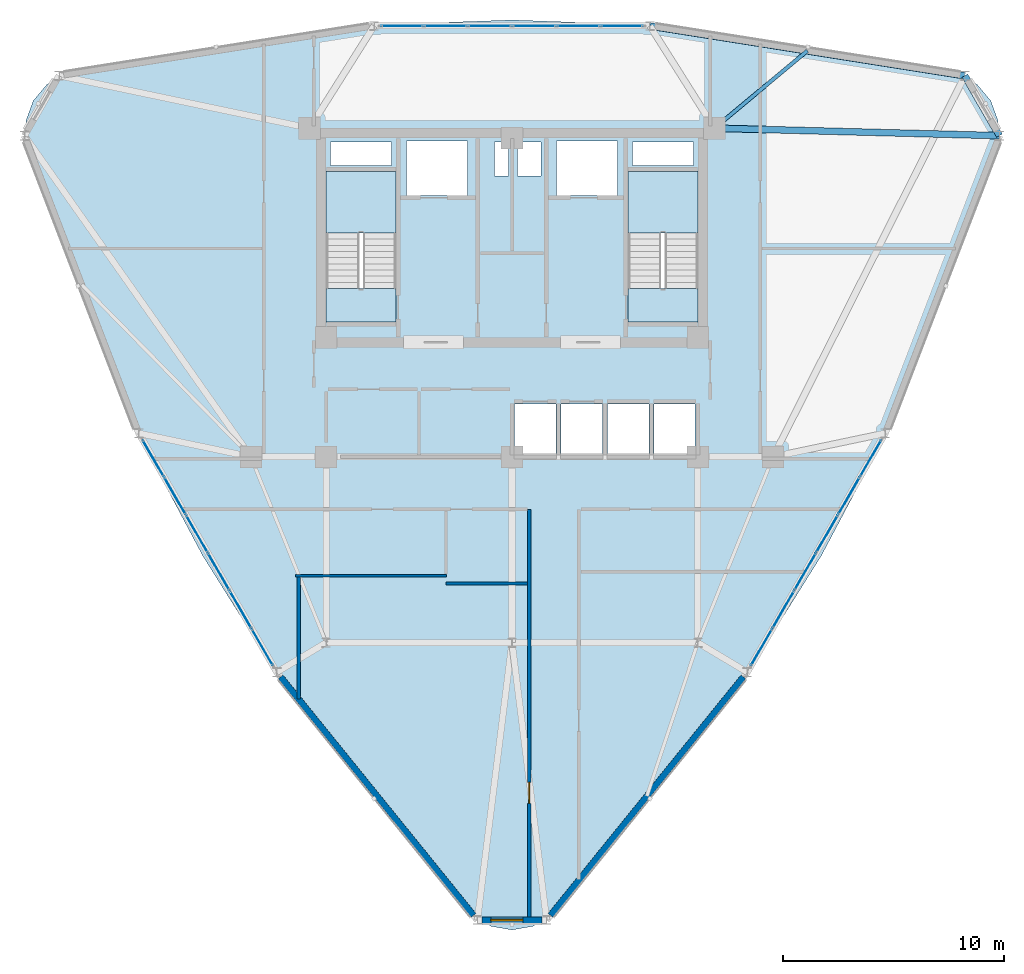
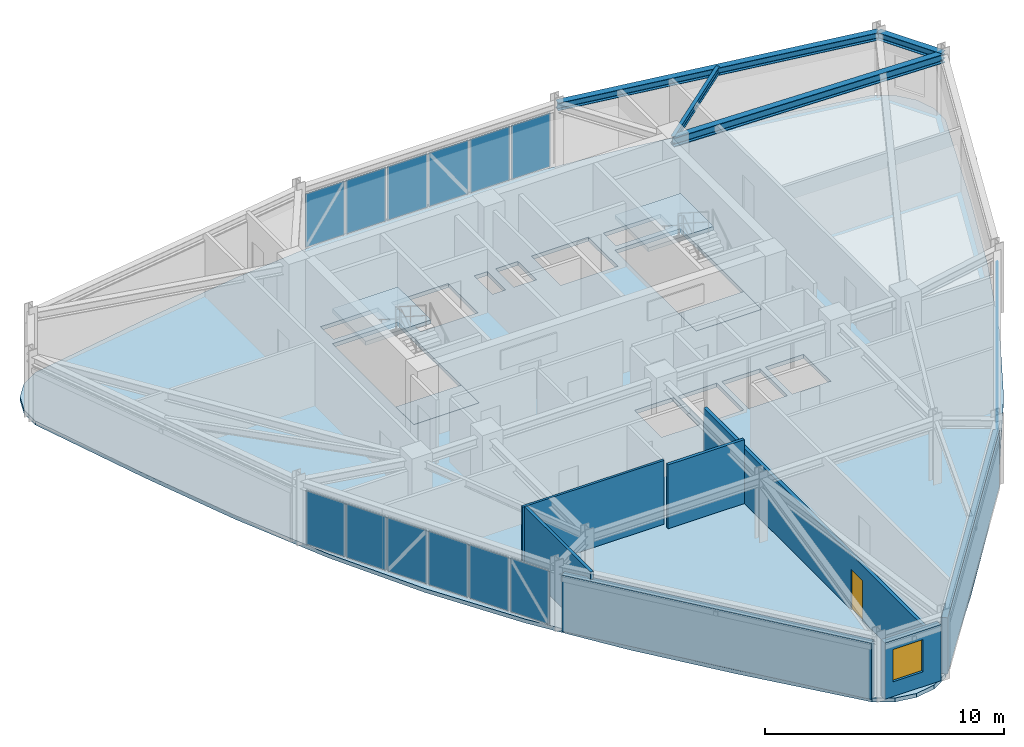
# One storey, part 9 of 14: 18 plates, 7 walls, 5 slabs, 4 beams, 1 door, 1 window, 2 openings, 5 elements without a shape of their own.
"""IFC4 building model written with IfcOpenShell, lengths in metres."""

from ifc_helpers import new_model, si_unit, derived_unit, direction, frame, frame_2d, origin, origin_2d, place, context, subcontext, project, spatial, polyline, rectangle, i_section, outline, extrude, source, transform, mapped, material, layer, layer_set, material_profile, profile_set, type_object, element, fill, aggregate, save


model = new_model("IFC4")

# Units and contexts
model_context = context("Model", 3, precision=1e-05, world=origin(), true_north=direction((0.0, 1.0)))
body_context = subcontext(model_context, "Body", "Model", "MODEL_VIEW")
ifc_project = project(units=[si_unit("LENGTHUNIT", "METRE"), si_unit("AREAUNIT", "SQUARE_METRE"), si_unit("VOLUMEUNIT", "CUBIC_METRE"), si_unit("PLANEANGLEUNIT", "RADIAN"), si_unit("MASSUNIT", "GRAM", prefix="KILO"), derived_unit("THERMALTRANSMITTANCEUNIT", [(si_unit("POWERUNIT", "WATT"), 1), (si_unit("LENGTHUNIT", "METRE"), -2), (si_unit("THERMODYNAMICTEMPERATUREUNIT", "KELVIN"), -1)])], contexts=[model_context])

# Site, building, storey
site_placement = place(None, origin())
site = spatial("IfcSite", under=ifc_project, at=site_placement, CompositionType="ELEMENT")
building_placement = place(site_placement, origin())
building = spatial("IfcBuilding", under=site, at=building_placement, Name="Korsvarv Bourse and Concert Hall", CompositionType="ELEMENT")
storey_placement = place(building_placement, frame((0.0, 0.0, 197.39990234375)))
storey = spatial("IfcBuildingStorey", under=building, at=storey_placement, Name="L51", CompositionType="ELEMENT", Elevation=197.39990234375)

# Beams
ifc_material_1 = material(Name="Steel S355", Category="steel")
ifc_material_profile_1 = material_profile(ifc_material_1, i_section(OverallWidth=0.300048828125, OverallDepth=0.389892578125, WebThickness=0.010986328125, FlangeThickness=0.01904296875, FilletRadius=0.02099609375, at=origin_2d()), Name="HEA 400")
ifc_profile_set_1 = profile_set([ifc_material_profile_1], Name="Steel S355")
beam_type_1 = type_object("IfcBeamType", Name="BM-HEA400", PredefinedType="BEAM", material=ifc_profile_set_1)
shared_shape_1 = source(origin(), body_context, "Body", "SweptSolid", [
    extrude(i_section(OverallWidth=0.300048828125, OverallDepth=0.389892578125, WebThickness=0.010986328125, FlangeThickness=0.01904296875, FilletRadius=0.02099609375, at=origin_2d()), origin(), (0.0, 0.0, 1.0), 3.12939453125),
])
beam_1_placement = place(storey_placement, frame((58.0302734375, 46.912353515625, 3.065185546875), z_axis=(-0.499990325971, 0.866030989016, 0.0), x_axis=(-0.866030989016, -0.499990325971, 0.0)))
element("IfcBeam", 1, at=beam_1_placement, inside=storey, type_object=beam_type_1, Name="L51 beam B-11", PredefinedType="BEAM", context=body_context, shape_type="MappedRepresentation", body=[
    mapped(shared_shape_1, transform((0.0, 0.0, 0.0), scale=1.0)),
])
shared_shape_2 = source(origin(), body_context, "Body", "SweptSolid", [
    extrude(i_section(OverallWidth=0.300048828125, OverallDepth=0.389892578125, WebThickness=0.010986328125, FlangeThickness=0.01904296875, FilletRadius=0.02099609375, at=origin_2d()), origin(), (0.0, 0.0, 1.0), 14.4091796875),
])
beam_2_placement = place(storey_placement, frame((56.465576171875, 49.62255859375, 3.065185546875), z_axis=(-0.987741112202, 0.156100913728, 0.0), x_axis=(-0.156100913728, -0.987741112202, 0.0)))
element("IfcBeam", 2, at=beam_2_placement, inside=storey, type_object=beam_type_1, Name="L51 beam B-11", PredefinedType="BEAM", context=body_context, shape_type="MappedRepresentation", body=[
    mapped(shared_shape_2, transform((0.0, 0.0, 0.0), scale=1.0)),
])
ifc_material_profile_2 = material_profile(ifc_material_1, i_section(OverallWidth=0.300048828125, OverallDepth=0.449951171875, WebThickness=0.013916015625, FlangeThickness=0.02587890625, FilletRadius=0.02099609375, at=origin_2d()), Name="HEB 450")
ifc_profile_set_2 = profile_set([ifc_material_profile_2], Name="Steel S355")
beam_type_2 = type_object("IfcBeamType", Name="BM-HEB450", PredefinedType="SPANDREL", material=ifc_profile_set_2)
shared_shape_3 = source(origin(), body_context, "Body", "SweptSolid", [
    extrude(i_section(OverallWidth=0.300048828125, OverallDepth=0.449951171875, WebThickness=0.013916015625, FlangeThickness=0.02587890625, FilletRadius=0.02099609375, at=origin_2d()), origin(), (0.0, 0.0, 1.0), 12.884765625),
])
beam_3_placement = place(storey_placement, frame((58.0302734375, 46.912353515625, 3.03515625), z_axis=(-0.999656589191, 0.026205031708, 0.0), x_axis=(-0.026205031708, -0.999656589191, 0.0)))
element("IfcBeam", 3, at=beam_3_placement, inside=storey, type_object=beam_type_2, Name="L51 beam B-08", PredefinedType="SPANDREL", context=body_context, shape_type="MappedRepresentation", body=[
    mapped(shared_shape_3, transform((0.0, 0.0, 0.0), scale=1.0)),
])
ifc_material_profile_3 = material_profile(ifc_material_1, i_section(OverallWidth=0.169921875, OverallDepth=0.360107421875, WebThickness=0.008056640625, FlangeThickness=0.0126953125, FilletRadius=0.01806640625, at=origin_2d()), Name="IPE 360")
ifc_profile_set_3 = profile_set([ifc_material_profile_3], Name="Steel S355")
beam_type_3 = type_object("IfcBeamType", Name="BM-IPE360", PredefinedType="JOIST", material=ifc_profile_set_3)
shared_shape_4 = source(origin(), body_context, "Body", "SweptSolid", [
    extrude(i_section(OverallWidth=0.169921875, OverallDepth=0.360107421875, WebThickness=0.008056640625, FlangeThickness=0.0126953125, FilletRadius=0.01806640625, at=origin_2d()), origin(), (0.0, 0.0, 1.0), 5.465087890625),
])
beam_4_placement = place(storey_placement, frame((49.349365234375, 50.747314453125, 3.080078125), z_axis=(-0.768422636875, -0.639942693636, 0.0), x_axis=(0.639942693636, -0.768422636875, 0.0)))
element("IfcBeam", 4, at=beam_4_placement, inside=storey, type_object=beam_type_3, Name="L51 beam J-06", PredefinedType="JOIST", context=body_context, shape_type="MappedRepresentation", body=[
    mapped(shared_shape_4, transform((0.0, 0.0, 0.0), scale=1.0)),
])

# Slabs
ifc_material_2 = material(Name="Precast concrete C45/55", Category="concrete")
ifc_layer_1 = layer(ifc_material_2, 0.199951171875)
ifc_layer_set_1 = layer_set([ifc_layer_1], Name="Precast concrete C45/55")
slab_type_1 = type_object("IfcSlabType", Name="SLB-FLND-T", PredefinedType="LANDING", material=ifc_layer_set_1)
slab_1_placement = place(storey_placement, frame((0.0, 0.0, -0.199951171875)))
element("IfcSlab", 5, at=slab_1_placement, inside=storey, type_object=slab_type_1, Name="L51 Stair ST-T1 Floor Landing Slab", PredefinedType="LANDING", context=body_context, shape_type="SweptSolid", body=[
    extrude(outline(polyline([(30.760009765625, 38.5), (30.760009765625, 40.0), (27.60009765625, 40.0), (27.60009765625, 38.5), (30.760009765625, 38.5)])), origin(), (0.0, 0.0, 1.0), 0.199951171875),
])
slab_2_placement = place(storey_placement, frame((0.0, 0.0, -0.199951171875)))
element("IfcSlab", 6, at=slab_2_placement, inside=storey, type_object=slab_type_1, Name="L51 Stair ST-T2 Floor Landing Slab", PredefinedType="LANDING", context=body_context, shape_type="SweptSolid", body=[
    extrude(outline(polyline([(44.39990234375, 38.5), (44.39990234375, 40.0), (41.239990234375, 40.0), (41.239990234375, 38.5), (44.39990234375, 38.5)])), origin(), (0.0, 0.0, 1.0), 0.199951171875),
])

# Stair, slab
stair_type = type_object("IfcStairType", Name="STR-TYPE-04", PredefinedType="HALF_TURN_STAIR", material=ifc_material_2)
stair_1_placement = place(storey_placement, origin())
stair_1 = element("IfcStair", 7, at=stair_1_placement, inside=storey, type_object=stair_type, Name="L51 Tower West Exit Stair ST-T1", PredefinedType="HALF_TURN_STAIR")
ifc_layer_2 = layer(ifc_material_2, 0.199951171875)
ifc_layer_set_2 = layer_set([ifc_layer_2], Name="Precast concrete C45/55")
slab_type_2 = type_object("IfcSlabType", Name="SLB-ST-LND", PredefinedType="LANDING", material=ifc_layer_set_2)
slab_3_placement = place(storey_placement, frame((0.0, 0.0, 1.60009765625)))
slab_3 = element("IfcSlab", 8, at=slab_3_placement, type_object=slab_type_2, Name="ST-T1 landing 1", PredefinedType="LANDING", context=body_context, shape_type="SweptSolid", body=[
    extrude(outline(polyline([(30.760009765625, 42.52001953125), (30.760009765625, 45.300048828125), (27.60009765625, 45.300048828125), (27.60009765625, 42.52001953125), (30.760009765625, 42.52001953125)])), origin(), (0.0, 0.0, 1.0), 0.199951171875),
])
aggregate(stair_1, [slab_3])

stair_2_placement = place(storey_placement, origin())
stair_2 = element("IfcStair", 9, at=stair_2_placement, inside=storey, type_object=stair_type, Name="L51 Tower East Exit Stair ST-T2", PredefinedType="HALF_TURN_STAIR")
slab_4_placement = place(storey_placement, frame((0.0, 0.0, 1.60009765625)))
slab_4 = element("IfcSlab", 10, at=slab_4_placement, type_object=slab_type_2, Name="ST-T2 landing 1", PredefinedType="LANDING", context=body_context, shape_type="SweptSolid", body=[
    extrude(outline(polyline([(44.39990234375, 42.52001953125), (44.39990234375, 45.300048828125), (41.239990234375, 45.300048828125), (41.239990234375, 42.52001953125), (44.39990234375, 42.52001953125)])), origin(), (0.0, 0.0, 1.0), 0.199951171875),
])
aggregate(stair_2, [slab_4])

# Slab
ifc_material_3 = material(Name="Concrete C45/55", Category="concrete")
ifc_layer_3 = layer(ifc_material_3, 0.199951171875)
ifc_layer_set_3 = layer_set([ifc_layer_3], Name="Concrete C45/55")
slab_type_3 = type_object("IfcSlabType", Name="SLB-TW2", PredefinedType="FLOOR", material=ifc_layer_set_3)
slab_5_placement = place(storey_placement, frame((0.0, 0.0, -0.199951171875)))
element("IfcSlab", 11, at=slab_5_placement, inside=storey, type_object=slab_type_3, Name="L51 tower structural floor slab", PredefinedType="FLOOR", context=body_context, shape_type="SweptSolid", body=[
    extrude(outline(polyline([(57.580810546875, 45.571044921875), (55.926025390625, 40.9873046875), (54.166015625, 36.489013671875), (52.205078125, 32.126953125), (49.977294921875, 27.93017578125), (47.45654296875, 23.902587890625), (44.659423828125, 20.023193359375), (41.64404296875, 16.25), (38.501708984375, 12.52490234375), (38.5, 12.523193359375), (37.781494140625, 11.6669921875), (36.947998046875, 11.185791015625), (36.0, 11.0185546875), (35.052001953125, 11.185791015625), (34.218505859375, 11.6669921875), (33.5, 12.523193359375), (33.498291015625, 12.52490234375), (30.35595703125, 16.25), (27.340576171875, 20.023193359375), (24.54345703125, 23.902587890625), (22.022705078125, 27.93017578125), (19.794921875, 32.126953125), (17.833984375, 36.489013671875), (16.073974609375, 40.9873046875), (14.419189453125, 45.571044921875), (14.41845703125, 45.5732421875), (14.0361328125, 46.62353515625), (14.0361328125, 47.586181640625), (14.365478515625, 48.49072265625), (14.984130859375, 49.22802734375), (15.81787109375, 49.70947265625), (16.918701171875, 49.903564453125), (16.9208984375, 49.904052734375), (21.718017578125, 50.762939453125), (26.493408203125, 51.48779296875), (31.251708984375, 51.970458984375), (36.0, 52.1396484375), (40.748291015625, 51.970458984375), (45.506591796875, 51.48779296875), (50.281982421875, 50.762939453125), (55.0791015625, 49.904052734375), (55.081298828125, 49.903564453125), (56.18212890625, 49.70947265625), (57.015869140625, 49.22802734375), (57.634521484375, 48.49072265625), (57.9638671875, 47.586181640625), (57.9638671875, 46.62353515625), (57.58154296875, 45.5732421875), (57.580810546875, 45.571044921875)]), holes=[polyline([(30.760009765625, 38.5), (30.760009765625, 45.300048828125), (27.60009765625, 45.300048828125), (27.60009765625, 38.5), (30.760009765625, 38.5)]), polyline([(44.39990234375, 38.5), (44.39990234375, 45.300048828125), (41.239990234375, 45.300048828125), (41.239990234375, 38.5), (44.39990234375, 38.5)]), polyline([(31.239990234375, 44.219970703125), (34.0, 44.219970703125), (34.0, 46.679931640625), (31.239990234375, 46.679931640625), (31.239990234375, 44.219970703125)]), polyline([(38.0, 44.219970703125), (40.760009765625, 44.219970703125), (40.760009765625, 46.679931640625), (38.0, 46.679931640625), (38.0, 44.219970703125)]), polyline([(36.1201171875, 32.52001953125), (37.97998046875, 32.52001953125), (37.97998046875, 34.780029296875), (36.1201171875, 34.780029296875), (36.1201171875, 32.52001953125)]), polyline([(38.219970703125, 32.52001953125), (40.080078125, 32.52001953125), (40.080078125, 34.780029296875), (38.219970703125, 34.780029296875), (38.219970703125, 32.52001953125)]), polyline([(40.320068359375, 32.52001953125), (42.179931640625, 32.52001953125), (42.179931640625, 34.780029296875), (40.320068359375, 34.780029296875), (40.320068359375, 32.52001953125)]), polyline([(42.419921875, 32.52001953125), (44.280029296875, 32.52001953125), (44.280029296875, 34.780029296875), (42.419921875, 34.780029296875), (42.419921875, 32.52001953125)]), polyline([(27.800048828125, 45.56005859375), (30.56005859375, 45.56005859375), (30.56005859375, 46.6201171875), (27.800048828125, 46.6201171875), (27.800048828125, 45.56005859375)]), polyline([(41.43994140625, 45.56005859375), (44.199951171875, 45.56005859375), (44.199951171875, 46.6201171875), (41.43994140625, 46.6201171875), (41.43994140625, 45.56005859375)]), polyline([(35.199951171875, 45.080078125), (35.840087890625, 45.080078125), (35.840087890625, 46.6201171875), (35.199951171875, 46.6201171875), (35.199951171875, 45.080078125)]), polyline([(36.239990234375, 45.080078125), (37.320068359375, 45.080078125), (37.320068359375, 46.6201171875), (36.239990234375, 46.6201171875), (36.239990234375, 45.080078125)])]), origin(), (0.0, 0.0, 1.0), 0.199951171875),
])

# Curtain wall, plates
ifc_material_4 = material(Name="Anodised aluminium and triple low-E glazing", Category="glass")
ifc_layer_4 = layer(ifc_material_4, 0.199951171875)
ifc_layer_set_4 = layer_set([ifc_layer_4], Name="Anodised aluminium and triple low-E glazing")
curtain_wall_type = type_object("IfcCurtainWallType", Name="CW-SYS-3", PredefinedType="NOTDEFINED", material=ifc_layer_set_4)
curtain_wall_1_placement = place(storey_placement, origin())
curtain_wall_1 = element("IfcCurtainWall", 12, at=curtain_wall_1_placement, inside=storey, type_object=curtain_wall_type, Name="L51 CW3 curtain wall CW-L51-F03", PredefinedType="NOTDEFINED")
ifc_material_5 = material(Name="Tempered triple insulated low-E architectural glass", Category="glass")
ifc_layer_5 = layer(ifc_material_5, 0.0380859375)
ifc_layer_set_5 = layer_set([ifc_layer_5], Name="Tempered triple insulated low-E architectural glass")
plate_type_1 = type_object("IfcPlateType", Name="CWP-VIS2", PredefinedType="CURTAIN_PANEL", material=ifc_layer_set_5)
shared_shape_5 = source(origin(), body_context, "Body", "SweptSolid", [
    extrude(rectangle(XDim=1.888427734375, YDim=0.0380859375, at=origin_2d()), origin(), (0.0, 0.0, 1.0), 2.739990234375),
])
plate_1_placement = place(storey_placement, frame((40.9658203125, 51.871826171875, 0.06494140625), z_axis=(0.0, 0.0, 1.0), x_axis=(-1.0, 0.0, 0.0)))
plate_1 = element("IfcPlate", 13, at=plate_1_placement, type_object=plate_type_1, Name="CW3 faceted panel 1.1", PredefinedType="CURTAIN_PANEL", context=body_context, shape_type="MappedRepresentation", body=[
    mapped(shared_shape_5, transform((0.0, 0.0, 0.0), scale=1.0)),
])
shared_shape_6 = source(origin(), body_context, "Body", "SweptSolid", [
    extrude(rectangle(XDim=1.92333984375, YDim=0.0380859375, at=origin_2d()), origin(), (0.0, 0.0, 1.0), 2.739990234375),
])
plate_2_placement = place(storey_placement, frame((38.989990234375, 51.871826171875, 0.06494140625), z_axis=(0.0, 0.0, 1.0), x_axis=(-1.0, 0.0, 0.0)))
plate_2 = element("IfcPlate", 14, at=plate_2_placement, type_object=plate_type_1, Name="CW3 faceted panel 2.1", PredefinedType="CURTAIN_PANEL", context=body_context, shape_type="MappedRepresentation", body=[
    mapped(shared_shape_6, transform((0.0, 0.0, 0.0), scale=1.0)),
])
plate_3_placement = place(storey_placement, frame((35.00341796875, 51.871826171875, 0.06494140625), z_axis=(0.0, 0.0, 1.0), x_axis=(-1.0, 0.0, 0.0)))
plate_3 = element("IfcPlate", 15, at=plate_3_placement, type_object=plate_type_1, Name="CW3 faceted panel 4.1", PredefinedType="CURTAIN_PANEL", context=body_context, shape_type="MappedRepresentation", body=[
    mapped(shared_shape_6, transform((0.0, 0.0, 0.0), scale=1.0)),
])
plate_4_placement = place(storey_placement, frame((33.010009765625, 51.871826171875, 0.06494140625), z_axis=(0.0, 0.0, 1.0), x_axis=(-1.0, 0.0, 0.0)))
plate_4 = element("IfcPlate", 16, at=plate_4_placement, type_object=plate_type_1, Name="CW3 faceted panel 5.1", PredefinedType="CURTAIN_PANEL", context=body_context, shape_type="MappedRepresentation", body=[
    mapped(shared_shape_6, transform((0.0, 0.0, 0.0), scale=1.0)),
])
ifc_material_6 = material(Name="Insulated spandrel glass", Category="glass")
ifc_layer_6 = layer(ifc_material_6, 0.031982421875)
ifc_layer_set_6 = layer_set([ifc_layer_6], Name="Insulated spandrel glass")
plate_type_2 = type_object("IfcPlateType", Name="CWP-SPD1", PredefinedType="CURTAIN_PANEL", material=ifc_layer_set_6)
shared_shape_7 = source(origin(), body_context, "Body", "SweptSolid", [
    extrude(rectangle(XDim=1.92333984375, YDim=0.031982421875, at=origin_2d()), origin(), (0.0, 0.0, 1.0), 2.739990234375),
])
plate_5_placement = place(storey_placement, frame((36.99658203125, 51.871826171875, 0.06494140625), z_axis=(0.0, 0.0, 1.0), x_axis=(-1.0, 0.0, 0.0)))
plate_5 = element("IfcPlate", 17, at=plate_5_placement, type_object=plate_type_2, Name="CW3 spandrel shadow-box panel 3.1", PredefinedType="CURTAIN_PANEL", context=body_context, shape_type="MappedRepresentation", body=[
    mapped(shared_shape_7, transform((0.0, 0.0, 0.0), scale=1.0)),
])
shared_shape_8 = source(origin(), body_context, "Body", "SweptSolid", [
    extrude(rectangle(XDim=1.888427734375, YDim=0.031982421875, at=origin_2d()), origin(), (0.0, 0.0, 1.0), 2.739990234375),
])
plate_6_placement = place(storey_placement, frame((31.0341796875, 51.871826171875, 0.06494140625), z_axis=(0.0, 0.0, 1.0), x_axis=(-1.0, 0.0, 0.0)))
plate_6 = element("IfcPlate", 18, at=plate_6_placement, type_object=plate_type_2, Name="CW3 spandrel shadow-box panel 6.1", PredefinedType="CURTAIN_PANEL", context=body_context, shape_type="MappedRepresentation", body=[
    mapped(shared_shape_8, transform((0.0, 0.0, 0.0), scale=1.0)),
])
aggregate(curtain_wall_1, [plate_1, plate_2, plate_5, plate_3, plate_4, plate_6])

# Curtain wall, plate
curtain_wall_2_placement = place(storey_placement, origin())
curtain_wall_2 = element("IfcCurtainWall", 19, at=curtain_wall_2_placement, inside=storey, type_object=curtain_wall_type, Name="L51 CW3 curtain wall CW-L51-F07", PredefinedType="NOTDEFINED")
shared_shape_9 = source(origin(), body_context, "Body", "SweptSolid", [
    extrude(rectangle(XDim=1.873291015625, YDim=0.0380859375, at=origin_2d()), origin(), (0.0, 0.0, 1.0), 2.739990234375),
])
plate_7_placement = place(storey_placement, frame((19.79052734375, 32.332275390625, 0.06494140625), z_axis=(0.0, 0.0, 1.0), x_axis=(0.499992512708, -0.866029726531, 0.0)))
plate_7 = element("IfcPlate", 20, at=plate_7_placement, type_object=plate_type_1, Name="CW3 faceted panel 1.1", PredefinedType="CURTAIN_PANEL", context=body_context, shape_type="MappedRepresentation", body=[
    mapped(shared_shape_9, transform((0.0, 0.0, 0.0), scale=1.0)),
])

curtain_wall_3_placement = place(storey_placement, origin())
curtain_wall_3 = element("IfcCurtainWall", 21, at=curtain_wall_3_placement, inside=storey, type_object=curtain_wall_type, Name="L51 CW3 curtain wall CW-L51-F11", PredefinedType="NOTDEFINED")
plate_8_placement = place(storey_placement, frame((47.28125, 23.7958984375, 0.06494140625), z_axis=(0.0, 0.0, 1.0), x_axis=(0.499992512708, 0.866029726531, 0.0)))
plate_8 = element("IfcPlate", 22, at=plate_8_placement, type_object=plate_type_1, Name="CW3 faceted panel 1.1", PredefinedType="CURTAIN_PANEL", context=body_context, shape_type="MappedRepresentation", body=[
    mapped(shared_shape_9, transform((0.0, 0.0, 0.0), scale=1.0)),
])

# Plate
shared_shape_10 = source(origin(), body_context, "Body", "SweptSolid", [
    extrude(rectangle(XDim=1.908447265625, YDim=0.0380859375, at=origin_2d()), origin(), (0.0, 0.0, 1.0), 2.739990234375),
])
plate_9_placement = place(storey_placement, frame((20.77099609375, 30.63427734375, 0.06494140625), z_axis=(0.0, 0.0, 1.0), x_axis=(0.499992512708, -0.866029726531, 0.0)))
plate_9 = element("IfcPlate", 23, at=plate_9_placement, type_object=plate_type_1, Name="CW3 faceted panel 2.1", PredefinedType="CURTAIN_PANEL", context=body_context, shape_type="MappedRepresentation", body=[
    mapped(shared_shape_10, transform((0.0, 0.0, 0.0), scale=1.0)),
])

plate_10_placement = place(storey_placement, frame((22.749267578125, 27.20751953125, 0.06494140625), z_axis=(0.0, 0.0, 1.0), x_axis=(0.499992512708, -0.866029726531, 0.0)))
plate_10 = element("IfcPlate", 24, at=plate_10_placement, type_object=plate_type_1, Name="CW3 faceted panel 4.1", PredefinedType="CURTAIN_PANEL", context=body_context, shape_type="MappedRepresentation", body=[
    mapped(shared_shape_10, transform((0.0, 0.0, 0.0), scale=1.0)),
])

plate_11_placement = place(storey_placement, frame((23.738525390625, 25.494140625, 0.06494140625), z_axis=(0.0, 0.0, 1.0), x_axis=(0.499992512708, -0.866029726531, 0.0)))
plate_11 = element("IfcPlate", 25, at=plate_11_placement, type_object=plate_type_1, Name="CW3 faceted panel 5.1", PredefinedType="CURTAIN_PANEL", context=body_context, shape_type="MappedRepresentation", body=[
    mapped(shared_shape_10, transform((0.0, 0.0, 0.0), scale=1.0)),
])

plate_12_placement = place(storey_placement, frame((48.261474609375, 25.494140625, 0.06494140625), z_axis=(0.0, 0.0, 1.0), x_axis=(0.499992512708, 0.866029726531, 0.0)))
plate_12 = element("IfcPlate", 26, at=plate_12_placement, type_object=plate_type_1, Name="CW3 faceted panel 2.1", PredefinedType="CURTAIN_PANEL", context=body_context, shape_type="MappedRepresentation", body=[
    mapped(shared_shape_10, transform((0.0, 0.0, 0.0), scale=1.0)),
])

plate_13_placement = place(storey_placement, frame((50.239990234375, 28.9208984375, 0.06494140625), z_axis=(0.0, 0.0, 1.0), x_axis=(0.499992512708, 0.866029726531, 0.0)))
plate_13 = element("IfcPlate", 27, at=plate_13_placement, type_object=plate_type_1, Name="CW3 faceted panel 4.1", PredefinedType="CURTAIN_PANEL", context=body_context, shape_type="MappedRepresentation", body=[
    mapped(shared_shape_10, transform((0.0, 0.0, 0.0), scale=1.0)),
])

plate_14_placement = place(storey_placement, frame((51.22900390625, 30.63427734375, 0.06494140625), z_axis=(0.0, 0.0, 1.0), x_axis=(0.499992512708, 0.866029726531, 0.0)))
plate_14 = element("IfcPlate", 28, at=plate_14_placement, type_object=plate_type_1, Name="CW3 faceted panel 5.1", PredefinedType="CURTAIN_PANEL", context=body_context, shape_type="MappedRepresentation", body=[
    mapped(shared_shape_10, transform((0.0, 0.0, 0.0), scale=1.0)),
])

shared_shape_11 = source(origin(), body_context, "Body", "SweptSolid", [
    extrude(rectangle(XDim=1.908447265625, YDim=0.031982421875, at=origin_2d()), origin(), (0.0, 0.0, 1.0), 2.739990234375),
])
plate_15_placement = place(storey_placement, frame((21.760009765625, 28.9208984375, 0.06494140625), z_axis=(0.0, 0.0, 1.0), x_axis=(0.499992512708, -0.866029726531, 0.0)))
plate_15 = element("IfcPlate", 29, at=plate_15_placement, type_object=plate_type_2, Name="CW3 spandrel shadow-box panel 3.1", PredefinedType="CURTAIN_PANEL", context=body_context, shape_type="MappedRepresentation", body=[
    mapped(shared_shape_11, transform((0.0, 0.0, 0.0), scale=1.0)),
])

plate_16_placement = place(storey_placement, frame((49.250732421875, 27.20751953125, 0.06494140625), z_axis=(0.0, 0.0, 1.0), x_axis=(0.499992512708, 0.866029726531, 0.0)))
plate_16 = element("IfcPlate", 30, at=plate_16_placement, type_object=plate_type_2, Name="CW3 spandrel shadow-box panel 3.1", PredefinedType="CURTAIN_PANEL", context=body_context, shape_type="MappedRepresentation", body=[
    mapped(shared_shape_11, transform((0.0, 0.0, 0.0), scale=1.0)),
])

shared_shape_12 = source(origin(), body_context, "Body", "SweptSolid", [
    extrude(rectangle(XDim=1.873291015625, YDim=0.031982421875, at=origin_2d()), origin(), (0.0, 0.0, 1.0), 2.739990234375),
])
plate_17_placement = place(storey_placement, frame((24.71875, 23.7958984375, 0.06494140625), z_axis=(0.0, 0.0, 1.0), x_axis=(0.499992512708, -0.866029726531, 0.0)))
plate_17 = element("IfcPlate", 31, at=plate_17_placement, type_object=plate_type_2, Name="CW3 spandrel shadow-box panel 6.1", PredefinedType="CURTAIN_PANEL", context=body_context, shape_type="MappedRepresentation", body=[
    mapped(shared_shape_12, transform((0.0, 0.0, 0.0), scale=1.0)),
])

aggregate(curtain_wall_2, [plate_7, plate_9, plate_15, plate_10, plate_11, plate_17])

plate_18_placement = place(storey_placement, frame((52.20947265625, 32.332275390625, 0.06494140625), z_axis=(0.0, 0.0, 1.0), x_axis=(0.499992512708, 0.866029726531, 0.0)))
plate_18 = element("IfcPlate", 32, at=plate_18_placement, type_object=plate_type_2, Name="CW3 spandrel shadow-box panel 6.1", PredefinedType="CURTAIN_PANEL", context=body_context, shape_type="MappedRepresentation", body=[
    mapped(shared_shape_12, transform((0.0, 0.0, 0.0), scale=1.0)),
])

aggregate(curtain_wall_3, [plate_8, plate_12, plate_16, plate_13, plate_14, plate_18])

# Wall, opening, window
ifc_material_7 = material(Name="Precast concrete C45/55 with terracotta rainscreen", Category="concrete")
ifc_layer_7 = layer(ifc_material_7, 0.300048828125)
ifc_layer_set_7 = layer_set([ifc_layer_7], Name="Precast concrete C45/55 with terracotta rainscreen")
wall_type_1 = type_object("IfcWallType", Name="WL-EXT-TC1", PredefinedType="SOLIDWALL", material=ifc_layer_set_7)
wall_1_placement = place(storey_placement, frame((34.643310546875, 11.465087890625, 0.0), z_axis=(0.0, 0.0, 1.0), x_axis=(1.0, 0.0, 0.0)))
wall_1 = element("IfcWall", 33, at=wall_1_placement, inside=storey, type_object=wall_type_1, Name="L51 terracotta exterior wall EW-L51-B09", PredefinedType="SOLIDWALL", context=body_context, shape_type="SweptSolid", body=[
    extrude(rectangle(XDim=2.71337890625, YDim=0.300048828125, at=frame_2d((1.356689453125, 0.0))), origin(), (0.0, 0.0, 1.0), 2.8701171875),
])
opening_1_placement = place(wall_1_placement, frame((0.39990234375, 0.0, 0.75)))
opening_1 = element("IfcOpeningElement", 34, at=opening_1_placement, cuts=wall_1, Name="Opening W-02", PredefinedType="OPENING", context=body_context, shape_type="SweptSolid", body=[
    extrude(rectangle(XDim=1.449951171875, YDim=1.64990234375, at=frame_2d((0.72509765625, 0.824951171875))), frame((0.0, 0.16015625, 0.0), z_axis=(0.0, -1.0, 0.0), x_axis=(1.0, 0.0, 0.0)), (0.0, 0.0, 1.0), 0.320068359375),
])
ifc_material_8 = material(Name="Thermally broken aluminium frame with triple low-E glass", Category="glass")
window_type = type_object("IfcWindowType", Name="WIN-TW2", PartitioningType="SINGLE_PANEL", PredefinedType="WINDOW", material=ifc_material_8)
window_placement = place(opening_1_placement, origin())
window = element("IfcWindow", 35, at=window_placement, inside=storey, type_object=window_type, Name="L51 punched facade window W-02", OverallHeight=1.64990234375, OverallWidth=1.449951171875, PartitioningType="SINGLE_PANEL", PredefinedType="WINDOW", context=body_context, shape_type="SweptSolid", body=[
    extrude(rectangle(XDim=1.449951171875, YDim=1.64990234375, at=frame_2d((0.72509765625, 0.824951171875))), frame((0.0, 0.030029296875, 0.0), z_axis=(0.0, -1.0, 0.0), x_axis=(1.0, 0.0, 0.0)), (0.0, 0.0, 1.0), 0.06005859375),
])
fill(opening_1, window)

# Walls
ifc_material_9 = material(Name="Precast concrete C45/55 with fluted terracotta pier", Category="concrete")
ifc_layer_8 = layer(ifc_material_9, 0.280029296875)
ifc_layer_set_8 = layer_set([ifc_layer_8], Name="Precast concrete C45/55 with fluted terracotta pier")
wall_type_2 = type_object("IfcWallType", Name="WL-EXT-TC2", PredefinedType="SOLIDWALL", material=ifc_layer_set_8)
for number, where, z_axis, x_axis, name in (
    (36, (25.543701171875, 22.453125, 0.0), (0.0, 0.0, 1.0), (0.629045703635, -0.777368318584, 0.0), "L51 terracotta exterior wall EW-L51-B08"),
    (37, (37.737060546875, 11.677978515625, 0.0), (0.0, 0.0, 1.0), (0.629045703635, 0.777368318584, 0.0), "L51 terracotta exterior wall EW-L51-B10"),
):
    element("IfcWall", number, at=place(storey_placement, frame(where, z_axis=z_axis, x_axis=x_axis)), inside=storey, type_object=wall_type_2, Name=name, PredefinedType="SOLIDWALL", context=body_context, shape_type="SweptSolid", body=[
        extrude(rectangle(XDim=13.861083984375, YDim=0.280029296875, at=frame_2d((6.9306640625, 0.0))), origin(), (0.0, 0.0, 1.0), 2.8701171875),
    ])

# Wall, opening, door
ifc_material_10 = material(Name="Double-stud fire-rated acoustic partition", Category="gypsum")
ifc_layer_9 = layer(ifc_material_10, 0.159912109375)
ifc_layer_set_9 = layer_set([ifc_layer_9], Name="Double-stud fire-rated acoustic partition")
wall_type_3 = type_object("IfcWallType", Name="WL-INT-EI60", PredefinedType="PARTITIONING", material=ifc_layer_set_9)
wall_2_placement = place(storey_placement, frame((36.77490234375, 11.485107421875, 0.0), z_axis=(0.0, 0.0, 1.0), x_axis=(0.0, 1.0, 0.0)))
wall_2 = element("IfcWall", 38, at=wall_2_placement, inside=storey, type_object=wall_type_3, Name="L51 interior partition wall W-L51-TCOR-03", PredefinedType="PARTITIONING", context=body_context, shape_type="SweptSolid", body=[
    extrude(rectangle(XDim=18.544921875, YDim=0.159912109375, at=frame_2d((9.2724609375, 0.0))), origin(), (0.0, 0.0, 1.0), 2.81005859375),
])
opening_2_placement = place(wall_2_placement, frame((5.248779296875, 0.0, 0.0)))
opening_2 = element("IfcOpeningElement", 39, at=opening_2_placement, cuts=wall_2, Name="Opening D-02", PredefinedType="OPENING", context=body_context, shape_type="SweptSolid", body=[
    extrude(rectangle(XDim=0.949951171875, YDim=2.050048828125, at=frame_2d((0.47509765625, 1.02490234375))), frame((0.0, 0.08984375, 0.0), z_axis=(0.0, -1.0, 0.0), x_axis=(1.0, 0.0, 0.0)), (0.0, 0.0, 1.0), 0.179931640625),
])
ifc_material_11 = material(Name="Timber and steel acoustic fire door", Category="wood")
door_type = type_object("IfcDoorType", Name="DR-FD30", OperationType="NOTDEFINED", PredefinedType="DOOR", material=ifc_material_11)
door_placement = place(opening_2_placement, origin())
door = element("IfcDoor", 40, at=door_placement, inside=storey, type_object=door_type, Name="L51 interior door DR-L51-TCOR-FN37", OperationType="SINGLE_SWING_LEFT", OverallHeight=2.050048828125, OverallWidth=0.949951171875, PredefinedType="DOOR", context=body_context, shape_type="SweptSolid", body=[
    extrude(rectangle(XDim=0.949951171875, YDim=2.050048828125, at=frame_2d((0.47509765625, 1.02490234375))), frame((0.0, 0.02490234375, 0.0), z_axis=(0.0, -1.0, 0.0), x_axis=(1.0, 0.0, 0.0)), (0.0, 0.0, 1.0), 0.050048828125),
])
fill(opening_2, door)

# Walls
ifc_material_12 = material(Name="Demountable acoustic glass and aluminium dealing partition", Category="aluminium")
ifc_layer_10 = layer(ifc_material_12, 0.110107421875)
ifc_layer_set_10 = layer_set([ifc_layer_10], Name="Demountable acoustic glass and aluminium dealing partition")
wall_type_4 = type_object("IfcWallType", Name="WL-INT-MOV", PredefinedType="MOVABLE", material=ifc_layer_set_10)
wall_3_placement = place(storey_placement, frame((26.2099609375, 27.034912109375, 0.0), z_axis=(0.0, 0.0, 1.0), x_axis=(1.0, 0.0, 0.0)))
element("IfcWall", 41, at=wall_3_placement, inside=storey, type_object=wall_type_4, Name="L51 interior partition wall W-L51-TCOR-14", PredefinedType="MOVABLE", context=body_context, shape_type="SweptSolid", body=[
    extrude(rectangle(XDim=6.830078125, YDim=0.110107421875, at=frame_2d((3.4150390625, 0.0))), origin(), (0.0, 0.0, 1.0), 3.260009765625),
])
ifc_material_13 = material(Name="Insulated steel-stud office acoustic partition", Category="gypsum")
ifc_layer_11 = layer(ifc_material_13, 0.139892578125)
ifc_layer_set_11 = layer_set([ifc_layer_11], Name="Insulated steel-stud office acoustic partition")
wall_type_5 = type_object("IfcWallType", Name="WL-INT-P1", PredefinedType="PARTITIONING", material=ifc_layer_set_11)
wall_4_placement = place(storey_placement, frame((26.364990234375, 21.4580078125, 0.0), z_axis=(0.0, 0.0, 1.0), x_axis=(0.0, 1.0, 0.0)))
element("IfcWall", 42, at=wall_4_placement, inside=storey, type_object=wall_type_5, Name="L51 interior partition wall W-L51-TCOR-15", PredefinedType="PARTITIONING", context=body_context, shape_type="SweptSolid", body=[
    extrude(rectangle(XDim=5.5048828125, YDim=0.139892578125, at=frame_2d((2.75244140625, 0.0))), origin(), (0.0, 0.0, 1.0), 3.260009765625),
])
wall_5_placement = place(storey_placement, frame((33.02001953125, 26.675048828125, 0.0), z_axis=(0.0, 0.0, 1.0), x_axis=(1.0, 0.0, 0.0)))
element("IfcWall", 43, at=wall_5_placement, inside=storey, type_object=wall_type_5, Name="L51 interior partition wall W-L51-TCOR-16", PredefinedType="PARTITIONING", context=body_context, shape_type="SweptSolid", body=[
    extrude(rectangle(XDim=3.673095703125, YDim=0.139892578125, at=frame_2d((1.83642578125, 0.0))), origin(), (0.0, 0.0, 1.0), 3.260009765625),
])

save(model, "model.ifc")
